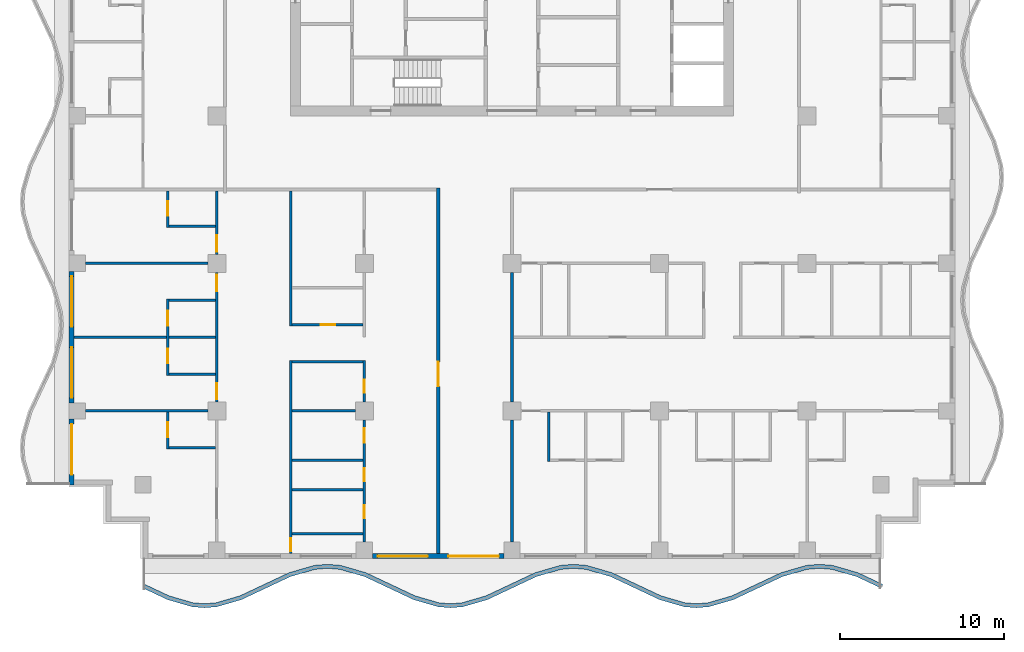
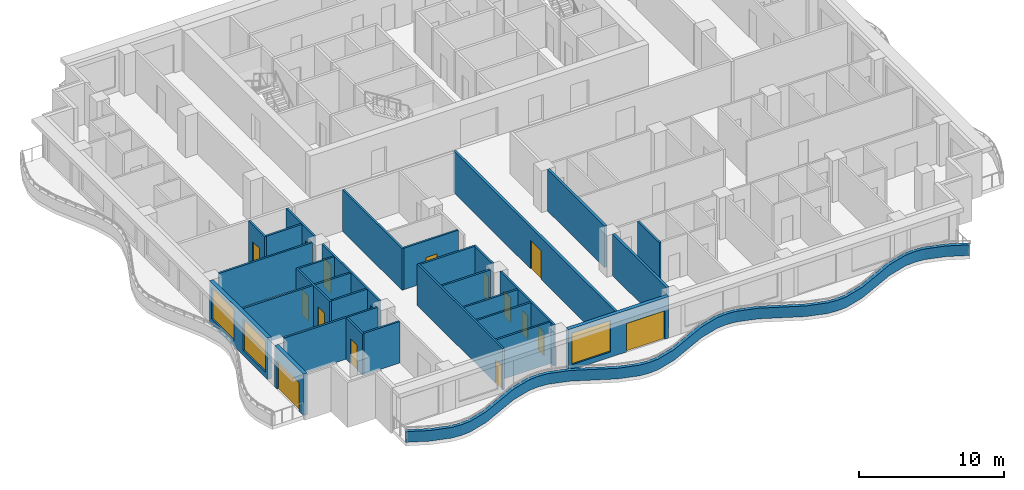
# One storey, part 2 of 12: 31 walls, 16 doors, 3 windows, 19 openings.
"""IFC4 building model written with IfcOpenShell, lengths in metres."""

from ifc_helpers import new_model, si_unit, direction, frame, frame_2d, origin, place, context, subcontext, project, spatial, polyline, rectangle, outline, extrude, material, layer, layer_set, type_object, element, fill, save


model = new_model("IFC4")

# Units and contexts
model_context = context("Model", 3, precision=1e-05, world=origin(), true_north=direction((0.0, 1.0)))
body_context = subcontext(model_context, "Body", "Model", "MODEL_VIEW")
ifc_project = project(units=[si_unit("LENGTHUNIT", "METRE"), si_unit("AREAUNIT", "SQUARE_METRE"), si_unit("VOLUMEUNIT", "CUBIC_METRE"), si_unit("PLANEANGLEUNIT", "RADIAN"), si_unit("MASSUNIT", "GRAM", prefix="KILO")], contexts=[model_context])

# Site, building, storey
site_placement = place(None, origin())
site = spatial("IfcSite", under=ifc_project, at=site_placement, CompositionType="ELEMENT")
building_placement = place(site_placement, origin())
building = spatial("IfcBuilding", under=site, at=building_placement, Name="Orbiselva Terraces", CompositionType="ELEMENT")
storey_placement = place(building_placement, frame((0.0, 0.0, 211.0)))
storey = spatial("IfcBuildingStorey", under=building, at=storey_placement, Name="L53", CompositionType="ELEMENT", Elevation=211.0)

# Wall
ifc_material_1 = material(Name="Concrete C40/50", Category="concrete")
ifc_layer_1 = layer(ifc_material_1, 0.25)
ifc_layer_set_1 = layer_set([ifc_layer_1], Name="Concrete C40/50")
wall_type_1 = type_object("IfcWallType", Name="ENV-PLANTER-250x900", PredefinedType="USERDEFINED", material=ifc_layer_set_1)
wall_1_placement = place(storey_placement, origin())
element("IfcWall", 1, at=wall_1_placement, inside=storey, type_object=wall_type_1, Name="Balcony planter L53 S", ObjectType="PLANTER", PredefinedType="USERDEFINED", context=body_context, shape_type="SweptSolid", body=[
    extrude(outline(polyline([(-22.5, -24.3), (-21.0, -25.005342), (-19.5, -25.441268), (-18.75, -25.5), (-18.0, -25.441268), (-16.5, -25.005342), (-15.0, -24.3), (-13.5, -23.594658), (-12.0, -23.158732), (-11.25, -23.1), (-10.5, -23.158732), (-9.0, -23.594658), (-7.5, -24.3), (-6.0, -25.005342), (-4.5, -25.441268), (-3.75, -25.5), (-3.0, -25.441268), (-1.5, -25.005342), (0.0, -24.3), (1.5, -23.594658), (3.0, -23.158732), (3.75, -23.1), (4.5, -23.158732), (6.0, -23.594658), (7.5, -24.3), (9.0, -25.005342), (10.5, -25.441268), (11.25, -25.5), (12.0, -25.441268), (13.5, -25.005342), (15.0, -24.3), (16.5, -23.594658), (18.0, -23.158732), (18.75, -23.1), (19.5, -23.158732), (21.0, -23.594658), (22.5, -24.3), (22.606383, -24.073764), (21.088618, -23.360069), (19.545114, -22.911499), (18.75, -22.849235), (17.954886, -22.911499), (16.411382, -23.360069), (14.893617, -24.073764), (13.411382, -24.770753), (11.954886, -25.194035), (11.25, -25.249235), (10.545114, -25.194035), (9.088618, -24.770753), (7.606383, -24.073764), (6.088618, -23.360069), (4.545114, -22.911499), (3.75, -22.849235), (2.954886, -22.911499), (1.411382, -23.360069), (-0.106383, -24.073764), (-1.588618, -24.770753), (-3.045114, -25.194035), (-3.75, -25.249235), (-4.454886, -25.194035), (-5.911382, -24.770753), (-7.393617, -24.073764), (-8.911382, -23.360069), (-10.454886, -22.911499), (-11.25, -22.849235), (-12.045114, -22.911499), (-13.588618, -23.360069), (-15.106383, -24.073764), (-16.588618, -24.770753), (-18.045114, -25.194035), (-18.75, -25.249235), (-19.454886, -25.194035), (-20.911382, -24.770753), (-22.393617, -24.073764), (-22.5, -24.3)])), origin(), (0.0, 0.0, 1.0), 0.9),
])

# Wall, openings, door, window
ifc_material_2 = material(Name="Terracotta cladding on masonry backing", Category="masonry")
ifc_layer_2 = layer(ifc_material_2, 0.3)
ifc_layer_set_2 = layer_set([ifc_layer_2], Name="Terracotta cladding on masonry backing")
wall_type_2 = type_object("IfcWallType", Name="ENV-WALL-TERRACOTTA-300", PredefinedType="SOLIDWALL", material=ifc_layer_set_2)
wall_2_placement = place(storey_placement, frame((-0.5, -22.35, 0.0), z_axis=(0.0, 0.0, 1.0), x_axis=(-1.0, 0.0, 0.0)))
wall_2 = element("IfcWall", 2, at=wall_2_placement, inside=storey, type_object=wall_type_2, Name="Facade wall L53 S", PredefinedType="SOLIDWALL", context=body_context, shape_type="SweptSolid", body=[
    extrude(rectangle(XDim=8.0, YDim=0.3, at=frame_2d((4.0, 0.0))), origin(), (0.0, 0.0, 1.0), 3.5),
])
opening_1_placement = place(wall_2_placement, frame((4.625, 0.0, 0.45)))
opening_1 = element("IfcOpeningElement", 3, at=opening_1_placement, cuts=wall_2, Name="Opening WN15", PredefinedType="OPENING", context=body_context, shape_type="SweptSolid", body=[
    extrude(rectangle(XDim=3.075, YDim=2.65, at=frame_2d((1.5375, 1.325))), frame((0.0, 0.16, 0.0), z_axis=(0.0, -1.0, 0.0), x_axis=(1.0, 0.0, 0.0)), (0.0, 0.0, 1.0), 0.32),
])
opening_2_placement = place(wall_2_placement, frame((0.3, 0.0, 0.0)))
opening_2 = element("IfcOpeningElement", 4, at=opening_2_placement, cuts=wall_2, Name="Opening Z4-C-E02", PredefinedType="OPENING", context=body_context, shape_type="SweptSolid", body=[
    extrude(rectangle(XDim=3.075, YDim=2.4, at=frame_2d((1.5375, 1.2))), frame((0.0, 0.16, 0.0), z_axis=(0.0, -1.0, 0.0), x_axis=(1.0, 0.0, 0.0)), (0.0, 0.0, 1.0), 0.32),
])
ifc_material_3 = material(Name="Clear low-e glazing in aluminium frame", Category="aluminium")
door_type_1 = type_object("IfcDoorType", Name="BALCONY DOOR 3075 X 2400", OperationType="DOUBLE_DOOR_SLIDING", PredefinedType="DOOR", material=ifc_material_3)
door_1_placement = place(opening_2_placement, origin())
door_1 = element("IfcDoor", 5, at=door_1_placement, inside=storey, type_object=door_type_1, Name="Z4-C-E02", OperationType="SINGLE_SWING_LEFT", OverallHeight=2.4, OverallWidth=3.075, PredefinedType="DOOR", context=body_context, shape_type="SweptSolid", body=[
    extrude(rectangle(XDim=3.075, YDim=2.4, at=frame_2d((1.5375, 1.2))), frame((0.0, 0.025, 0.0), z_axis=(0.0, -1.0, 0.0), x_axis=(1.0, 0.0, 0.0)), (0.0, 0.0, 1.0), 0.05),
])
fill(opening_2, door_1)
window_type = type_object("IfcWindowType", Name="WINDOW 3075 X 2650 S450", PartitioningType="TRIPLE_PANEL_VERTICAL", PredefinedType="WINDOW", material=ifc_material_3)
window_1_placement = place(opening_1_placement, origin())
window_1 = element("IfcWindow", 6, at=window_1_placement, inside=storey, type_object=window_type, Name="Window L53 S", OverallHeight=2.65, OverallWidth=3.075, PartitioningType="SINGLE_PANEL", PredefinedType="WINDOW", context=body_context, shape_type="SweptSolid", body=[
    extrude(rectangle(XDim=3.075, YDim=2.65, at=frame_2d((1.5375, 1.325))), frame((0.0, 0.03, 0.0), z_axis=(0.0, -1.0, 0.0), x_axis=(1.0, 0.0, 0.0)), (0.0, 0.0, 1.0), 0.06),
])
fill(opening_1, window_1)

# Wall, openings, windows
wall_3_placement = place(storey_placement, frame((-26.85, -13.0, 0.0), z_axis=(0.0, 0.0, 1.0), x_axis=(0.0, 1.0, 0.0)))
wall_3 = element("IfcWall", 7, at=wall_3_placement, inside=storey, type_object=wall_type_2, Name="Facade wall L53 W", PredefinedType="SOLIDWALL", context=body_context, shape_type="SweptSolid", body=[
    extrude(rectangle(XDim=8.0, YDim=0.3, at=frame_2d((4.0, 0.0))), origin(), (0.0, 0.0, 1.0), 3.5),
])
opening_3_placement = place(wall_3_placement, frame((4.625, 0.0, 0.45)))
opening_3 = element("IfcOpeningElement", 8, at=opening_3_placement, cuts=wall_3, Name="Opening WN15", PredefinedType="OPENING", context=body_context, shape_type="SweptSolid", body=[
    extrude(rectangle(XDim=3.075, YDim=2.65, at=frame_2d((1.5375, 1.325))), frame((0.0, 0.16, 0.0), z_axis=(0.0, -1.0, 0.0), x_axis=(1.0, 0.0, 0.0)), (0.0, 0.0, 1.0), 0.32),
])
opening_4_placement = place(wall_3_placement, frame((0.3, 0.0, 0.45)))
opening_4 = element("IfcOpeningElement", 9, at=opening_4_placement, cuts=wall_3, Name="Opening WN15", PredefinedType="OPENING", context=body_context, shape_type="SweptSolid", body=[
    extrude(rectangle(XDim=3.075, YDim=2.65, at=frame_2d((1.5375, 1.325))), frame((0.0, 0.16, 0.0), z_axis=(0.0, -1.0, 0.0), x_axis=(1.0, 0.0, 0.0)), (0.0, 0.0, 1.0), 0.32),
])
window_2_placement = place(opening_3_placement, origin())
window_2 = element("IfcWindow", 10, at=window_2_placement, inside=storey, type_object=window_type, Name="Window L53 W", OverallHeight=2.65, OverallWidth=3.075, PartitioningType="SINGLE_PANEL", PredefinedType="WINDOW", context=body_context, shape_type="SweptSolid", body=[
    extrude(rectangle(XDim=3.075, YDim=2.65, at=frame_2d((1.5375, 1.325))), frame((0.0, 0.03, 0.0), z_axis=(0.0, -1.0, 0.0), x_axis=(1.0, 0.0, 0.0)), (0.0, 0.0, 1.0), 0.06),
])
fill(opening_3, window_2)
window_3_placement = place(opening_4_placement, origin())
window_3 = element("IfcWindow", 11, at=window_3_placement, inside=storey, type_object=window_type, Name="Window L53 W", OverallHeight=2.65, OverallWidth=3.075, PartitioningType="SINGLE_PANEL", PredefinedType="WINDOW", context=body_context, shape_type="SweptSolid", body=[
    extrude(rectangle(XDim=3.075, YDim=2.65, at=frame_2d((1.5375, 1.325))), frame((0.0, 0.03, 0.0), z_axis=(0.0, -1.0, 0.0), x_axis=(1.0, 0.0, 0.0)), (0.0, 0.0, 1.0), 0.06),
])
fill(opening_4, window_3)

# Wall, opening, door
wall_4_placement = place(storey_placement, frame((-26.85, -18.0, 0.0), z_axis=(0.0, 0.0, 1.0), x_axis=(0.0, 1.0, 0.0)))
wall_4 = element("IfcWall", 12, at=wall_4_placement, inside=storey, type_object=wall_type_2, Name="Facade wall L53 W", PredefinedType="SOLIDWALL", context=body_context, shape_type="SweptSolid", body=[
    extrude(rectangle(XDim=4.0, YDim=0.3, at=frame_2d((2.0, 0.0))), origin(), (0.0, 0.0, 1.0), 3.5),
])
opening_5_placement = place(wall_4_placement, frame((0.625, 0.0, 0.0)))
opening_5 = element("IfcOpeningElement", 13, at=opening_5_placement, cuts=wall_4, Name="Opening Z4-C-E12", PredefinedType="OPENING", context=body_context, shape_type="SweptSolid", body=[
    extrude(rectangle(XDim=3.075, YDim=2.4, at=frame_2d((1.5375, 1.2))), frame((0.0, 0.16, 0.0), z_axis=(0.0, -1.0, 0.0), x_axis=(1.0, 0.0, 0.0)), (0.0, 0.0, 1.0), 0.32),
])
door_2_placement = place(opening_5_placement, origin())
door_2 = element("IfcDoor", 14, at=door_2_placement, inside=storey, type_object=door_type_1, Name="Z4-C-E12", OperationType="SINGLE_SWING_LEFT", OverallHeight=2.4, OverallWidth=3.075, PredefinedType="DOOR", context=body_context, shape_type="SweptSolid", body=[
    extrude(rectangle(XDim=3.075, YDim=2.4, at=frame_2d((1.5375, 1.2))), frame((0.0, 0.025, 0.0), z_axis=(0.0, -1.0, 0.0), x_axis=(1.0, 0.0, 0.0)), (0.0, 0.0, 1.0), 0.05),
])
fill(opening_5, door_2)

ifc_material_4 = material(Name="Plasterboard on steel stud partition", Category="steel")
ifc_layer_3 = layer(ifc_material_4, 0.2)
ifc_layer_set_3 = layer_set([ifc_layer_3], Name="Plasterboard on steel stud partition")
wall_type_3 = type_object("IfcWallType", Name="UNIT-ENTRANCE-WALL-200", PredefinedType="PARTITIONING", material=ifc_layer_set_3)
wall_5_placement = place(storey_placement, frame((-4.5, -22.2, 0.0), z_axis=(0.0, 0.0, 1.0), x_axis=(0.0, 1.0, 0.0)))
wall_5 = element("IfcWall", 15, at=wall_5_placement, inside=storey, type_object=wall_type_3, Name="PARTITION L53-068", PredefinedType="PARTITIONING", context=body_context, shape_type="SweptSolid", body=[
    extrude(rectangle(XDim=22.3, YDim=0.2, at=frame_2d((11.15, 0.0))), origin(), (0.0, 0.0, 1.0), 3.5),
])
opening_6_placement = place(wall_5_placement, frame((10.2, 0.0, 0.0)))
opening_6 = element("IfcOpeningElement", 16, at=opening_6_placement, cuts=wall_5, Name="Opening Z4-C-18", PredefinedType="OPENING", context=body_context, shape_type="SweptSolid", body=[
    extrude(rectangle(XDim=1.5, YDim=2.4, at=frame_2d((0.75, 1.2))), frame((0.0, 0.11, 0.0), z_axis=(0.0, -1.0, 0.0), x_axis=(1.0, 0.0, 0.0)), (0.0, 0.0, 1.0), 0.22),
])
ifc_material_5 = material(Name="Painted timber door leaf", Category="wood")
door_type_2 = type_object("IfcDoorType", Name="ENTRANCE DOUBLE DOOR 1500", OperationType="NOTDEFINED", PredefinedType="DOOR", material=ifc_material_5)
door_3_placement = place(opening_6_placement, origin())
door_3 = element("IfcDoor", 17, at=door_3_placement, inside=storey, type_object=door_type_2, Name="Z4-C-18", OperationType="DOUBLE_DOOR_SINGLE_SWING", OverallHeight=2.4, OverallWidth=1.5, PredefinedType="DOOR", context=body_context, shape_type="SweptSolid", body=[
    extrude(rectangle(XDim=1.5, YDim=2.4, at=frame_2d((0.75, 1.2))), frame((0.0, 0.025, 0.0), z_axis=(0.0, -1.0, 0.0), x_axis=(1.0, 0.0, 0.0)), (0.0, 0.0, 1.0), 0.05),
])
fill(opening_6, door_3)

# Walls
wall_6_placement = place(storey_placement, frame((0.0, -21.5, 0.0), z_axis=(0.0, 0.0, 1.0), x_axis=(0.0, 1.0, 0.0)))
element("IfcWall", 18, at=wall_6_placement, inside=storey, type_object=wall_type_3, Name="PARTITION L53-069", PredefinedType="PARTITIONING", context=body_context, shape_type="SweptSolid", body=[
    extrude(rectangle(XDim=7.45, YDim=0.2, at=frame_2d((3.725, 0.0))), origin(), (0.0, 0.0, 1.0), 3.5),
])
wall_7_placement = place(storey_placement, frame((0.0, -12.95, 0.0), z_axis=(0.0, 0.0, 1.0), x_axis=(0.0, 1.0, 0.0)))
element("IfcWall", 19, at=wall_7_placement, inside=storey, type_object=wall_type_3, Name="PARTITION L53-070", PredefinedType="PARTITIONING", context=body_context, shape_type="SweptSolid", body=[
    extrude(rectangle(XDim=7.9, YDim=0.2, at=frame_2d((3.95, 0.0))), origin(), (0.0, 0.0, 1.0), 3.5),
])
ifc_layer_4 = layer(ifc_material_4, 0.15)
ifc_layer_set_4 = layer_set([ifc_layer_4], Name="Plasterboard on steel stud partition")
wall_type_4 = type_object("IfcWallType", Name="UNIT-PARTITION-150", PredefinedType="PARTITIONING", material=ifc_layer_set_4)
for number, where, z_axis, x_axis, name in (
    (20, (-13.425, -21.0, 0.0), (0.0, 0.0, 1.0), (1.0, 0.0, 0.0), "PARTITION L53-001"),
    (21, (-13.425, -18.3, 0.0), (0.0, 0.0, 1.0), (1.0, 0.0, 0.0), "PARTITION L53-002"),
    (22, (-13.425, -16.5, 0.0), (0.0, 0.0, 1.0), (1.0, 0.0, 0.0), "PARTITION L53-003"),
):
    element("IfcWall", number, at=place(storey_placement, frame(where, z_axis=z_axis, x_axis=x_axis)), inside=storey, type_object=wall_type_4, Name=name, PredefinedType="PARTITIONING", context=body_context, shape_type="SweptSolid", body=[
        extrude(rectangle(XDim=4.35, YDim=0.15, at=frame_2d((2.175, 0.0))), origin(), (0.0, 0.0, 1.0), 3.5),
    ])
wall_8_placement = place(storey_placement, frame((-20.925, -15.75, 0.0), z_axis=(0.0, 0.0, 1.0), x_axis=(1.0, 0.0, 0.0)))
element("IfcWall", 23, at=wall_8_placement, inside=storey, type_object=wall_type_4, Name="PARTITION L53-009", PredefinedType="PARTITIONING", context=body_context, shape_type="SweptSolid", body=[
    extrude(rectangle(XDim=2.85, YDim=0.15, at=frame_2d((1.425, 0.0))), origin(), (0.0, 0.0, 1.0), 3.5),
])
wall_9_placement = place(storey_placement, frame((-26.0, -13.5, 0.0), z_axis=(0.0, 0.0, 1.0), x_axis=(1.0, 0.0, 0.0)))
element("IfcWall", 24, at=wall_9_placement, inside=storey, type_object=wall_type_4, Name="PARTITION L53-010", PredefinedType="PARTITIONING", context=body_context, shape_type="SweptSolid", body=[
    extrude(rectangle(XDim=7.45, YDim=0.15, at=frame_2d((3.725, 0.0))), origin(), (0.0, 0.0, 1.0), 3.5),
])
wall_10_placement = place(storey_placement, frame((-13.425, -13.5, 0.0), z_axis=(0.0, 0.0, 1.0), x_axis=(1.0, 0.0, 0.0)))
element("IfcWall", 25, at=wall_10_placement, inside=storey, type_object=wall_type_4, Name="PARTITION L53-011", PredefinedType="PARTITIONING", context=body_context, shape_type="SweptSolid", body=[
    extrude(rectangle(XDim=3.875, YDim=0.15, at=frame_2d((1.9375, 0.0))), origin(), (0.0, 0.0, 1.0), 3.5),
])
wall_11_placement = place(storey_placement, frame((-20.925, -11.25, 0.0), z_axis=(0.0, 0.0, 1.0), x_axis=(1.0, 0.0, 0.0)))
element("IfcWall", 26, at=wall_11_placement, inside=storey, type_object=wall_type_4, Name="PARTITION L53-015", PredefinedType="PARTITIONING", context=body_context, shape_type="SweptSolid", body=[
    extrude(rectangle(XDim=2.85, YDim=0.15, at=frame_2d((1.425, 0.0))), origin(), (0.0, 0.0, 1.0), 3.5),
])
wall_12_placement = place(storey_placement, frame((-13.425, -10.5, 0.0), z_axis=(0.0, 0.0, 1.0), x_axis=(1.0, 0.0, 0.0)))
element("IfcWall", 27, at=wall_12_placement, inside=storey, type_object=wall_type_4, Name="PARTITION L53-016", PredefinedType="PARTITIONING", context=body_context, shape_type="SweptSolid", body=[
    extrude(rectangle(XDim=4.35, YDim=0.15, at=frame_2d((2.175, 0.0))), origin(), (0.0, 0.0, 1.0), 3.5),
])
wall_13_placement = place(storey_placement, frame((-26.7, -9.0, 0.0), z_axis=(0.0, 0.0, 1.0), x_axis=(1.0, 0.0, 0.0)))
element("IfcWall", 28, at=wall_13_placement, inside=storey, type_object=wall_type_4, Name="PARTITION L53-017", PredefinedType="PARTITIONING", context=body_context, shape_type="SweptSolid", body=[
    extrude(rectangle(XDim=5.625, YDim=0.15, at=frame_2d((2.8125, 0.0))), origin(), (0.0, 0.0, 1.0), 3.5),
])
wall_14_placement = place(storey_placement, frame((-20.925, -9.0, 0.0), z_axis=(0.0, 0.0, 1.0), x_axis=(1.0, 0.0, 0.0)))
element("IfcWall", 29, at=wall_14_placement, inside=storey, type_object=wall_type_4, Name="PARTITION L53-018", PredefinedType="PARTITIONING", context=body_context, shape_type="SweptSolid", body=[
    extrude(rectangle(XDim=2.85, YDim=0.15, at=frame_2d((1.425, 0.0))), origin(), (0.0, 0.0, 1.0), 3.5),
])

# Wall, opening, door
wall_15_placement = place(storey_placement, frame((-13.425, -8.25, 0.0), z_axis=(0.0, 0.0, 1.0), x_axis=(1.0, 0.0, 0.0)))
wall_15 = element("IfcWall", 30, at=wall_15_placement, inside=storey, type_object=wall_type_4, Name="PARTITION L53-021", PredefinedType="PARTITIONING", context=body_context, shape_type="SweptSolid", body=[
    extrude(rectangle(XDim=4.35, YDim=0.15, at=frame_2d((2.175, 0.0))), origin(), (0.0, 0.0, 1.0), 3.5),
])
opening_7_placement = place(wall_15_placement, frame((1.75, 0.0, 0.0)))
opening_7 = element("IfcOpeningElement", 31, at=opening_7_placement, cuts=wall_15, Name="Opening Z4-C-20", PredefinedType="OPENING", context=body_context, shape_type="SweptSolid", body=[
    extrude(rectangle(XDim=0.9, YDim=2.1, at=frame_2d((0.45, 1.05))), frame((0.0, 0.085, 0.0), z_axis=(0.0, -1.0, 0.0), x_axis=(1.0, 0.0, 0.0)), (0.0, 0.0, 1.0), 0.17),
])
door_type_3 = type_object("IfcDoorType", Name="BATH DOOR 900", OperationType="NOTDEFINED", PredefinedType="DOOR", material=ifc_material_5)
door_4_placement = place(opening_7_placement, origin())
door_4 = element("IfcDoor", 32, at=door_4_placement, inside=storey, type_object=door_type_3, Name="Z4-C-20", OperationType="SINGLE_SWING_RIGHT", OverallHeight=2.1, OverallWidth=0.9, PredefinedType="DOOR", context=body_context, shape_type="SweptSolid", body=[
    extrude(rectangle(XDim=0.9, YDim=2.1, at=frame_2d((0.45, 1.05))), frame((0.0, 0.025, 0.0), z_axis=(0.0, -1.0, 0.0), x_axis=(1.0, 0.0, 0.0)), (0.0, 0.0, 1.0), 0.05),
])
fill(opening_7, door_4)

# Walls
wall_16_placement = place(storey_placement, frame((-20.925, -6.75, 0.0), z_axis=(0.0, 0.0, 1.0), x_axis=(1.0, 0.0, 0.0)))
element("IfcWall", 33, at=wall_16_placement, inside=storey, type_object=wall_type_4, Name="PARTITION L53-022", PredefinedType="PARTITIONING", context=body_context, shape_type="SweptSolid", body=[
    extrude(rectangle(XDim=2.85, YDim=0.15, at=frame_2d((1.425, 0.0))), origin(), (0.0, 0.0, 1.0), 3.5),
])
wall_17_placement = place(storey_placement, frame((-26.0, -4.5, 0.0), z_axis=(0.0, 0.0, 1.0), x_axis=(1.0, 0.0, 0.0)))
element("IfcWall", 34, at=wall_17_placement, inside=storey, type_object=wall_type_4, Name="PARTITION L53-024", PredefinedType="PARTITIONING", context=body_context, shape_type="SweptSolid", body=[
    extrude(rectangle(XDim=7.45, YDim=0.15, at=frame_2d((3.725, 0.0))), origin(), (0.0, 0.0, 1.0), 3.5),
])
wall_18_placement = place(storey_placement, frame((-20.925, -2.25, 0.0), z_axis=(0.0, 0.0, 1.0), x_axis=(1.0, 0.0, 0.0)))
element("IfcWall", 35, at=wall_18_placement, inside=storey, type_object=wall_type_4, Name="PARTITION L53-029", PredefinedType="PARTITIONING", context=body_context, shape_type="SweptSolid", body=[
    extrude(rectangle(XDim=2.85, YDim=0.15, at=frame_2d((1.425, 0.0))), origin(), (0.0, 0.0, 1.0), 3.5),
])

# Wall, opening, door
wall_19_placement = place(storey_placement, frame((-21.0, -13.575, 0.0), z_axis=(0.0, 0.0, 1.0), x_axis=(0.0, -1.0, 0.0)))
wall_19 = element("IfcWall", 36, at=wall_19_placement, inside=storey, type_object=wall_type_4, Name="PARTITION L53-053", PredefinedType="PARTITIONING", context=body_context, shape_type="SweptSolid", body=[
    extrude(rectangle(XDim=2.25, YDim=0.15, at=frame_2d((1.125, 0.0))), origin(), (0.0, 0.0, 1.0), 3.5),
])
opening_8_placement = place(wall_19_placement, frame((0.625, 0.0, 0.0)))
opening_8 = element("IfcOpeningElement", 37, at=opening_8_placement, cuts=wall_19, Name="Opening Z4-C-33", PredefinedType="OPENING", context=body_context, shape_type="SweptSolid", body=[
    extrude(rectangle(XDim=0.9, YDim=2.1, at=frame_2d((0.45, 1.05))), frame((0.0, 0.085, 0.0), z_axis=(0.0, -1.0, 0.0), x_axis=(1.0, 0.0, 0.0)), (0.0, 0.0, 1.0), 0.17),
])
door_5_placement = place(opening_8_placement, origin())
door_5 = element("IfcDoor", 38, at=door_5_placement, inside=storey, type_object=door_type_3, Name="Z4-C-33", OperationType="SINGLE_SWING_LEFT", OverallHeight=2.1, OverallWidth=0.9, PredefinedType="DOOR", context=body_context, shape_type="SweptSolid", body=[
    extrude(rectangle(XDim=0.9, YDim=2.1, at=frame_2d((0.45, 1.05))), frame((0.0, 0.025, 0.0), z_axis=(0.0, -1.0, 0.0), x_axis=(1.0, 0.0, 0.0)), (0.0, 0.0, 1.0), 0.05),
])
fill(opening_8, door_5)

# Wall, openings, doors
wall_20_placement = place(storey_placement, frame((-21.0, -6.675, 0.0), z_axis=(0.0, 0.0, 1.0), x_axis=(0.0, -1.0, 0.0)))
wall_20 = element("IfcWall", 39, at=wall_20_placement, inside=storey, type_object=wall_type_4, Name="PARTITION L53-054", PredefinedType="PARTITIONING", context=body_context, shape_type="SweptSolid", body=[
    extrude(rectangle(XDim=4.65, YDim=0.15, at=frame_2d((2.325, 0.0))), origin(), (0.0, 0.0, 1.0), 3.5),
])
opening_9_placement = place(wall_20_placement, frame((0.725, 0.0, 0.0)))
opening_9 = element("IfcOpeningElement", 40, at=opening_9_placement, cuts=wall_20, Name="Opening Z4-C-29", PredefinedType="OPENING", context=body_context, shape_type="SweptSolid", body=[
    extrude(rectangle(XDim=0.9, YDim=2.1, at=frame_2d((0.45, 1.05))), frame((0.0, 0.085, 0.0), z_axis=(0.0, -1.0, 0.0), x_axis=(1.0, 0.0, 0.0)), (0.0, 0.0, 1.0), 0.17),
])
opening_10_placement = place(wall_20_placement, frame((3.025, 0.0, 0.0)))
opening_10 = element("IfcOpeningElement", 41, at=opening_10_placement, cuts=wall_20, Name="Opening Z4-C-31", PredefinedType="OPENING", context=body_context, shape_type="SweptSolid", body=[
    extrude(rectangle(XDim=0.9, YDim=2.1, at=frame_2d((0.45, 1.05))), frame((0.0, 0.085, 0.0), z_axis=(0.0, -1.0, 0.0), x_axis=(1.0, 0.0, 0.0)), (0.0, 0.0, 1.0), 0.17),
])
door_6_placement = place(opening_9_placement, origin())
door_6 = element("IfcDoor", 42, at=door_6_placement, inside=storey, type_object=door_type_3, Name="Z4-C-29", OperationType="SINGLE_SWING_LEFT", OverallHeight=2.1, OverallWidth=0.9, PredefinedType="DOOR", context=body_context, shape_type="SweptSolid", body=[
    extrude(rectangle(XDim=0.9, YDim=2.1, at=frame_2d((0.45, 1.05))), frame((0.0, 0.025, 0.0), z_axis=(0.0, -1.0, 0.0), x_axis=(1.0, 0.0, 0.0)), (0.0, 0.0, 1.0), 0.05),
])
fill(opening_9, door_6)
door_7_placement = place(opening_10_placement, origin())
door_7 = element("IfcDoor", 43, at=door_7_placement, inside=storey, type_object=door_type_3, Name="Z4-C-31", OperationType="SINGLE_SWING_RIGHT", OverallHeight=2.1, OverallWidth=0.9, PredefinedType="DOOR", context=body_context, shape_type="SweptSolid", body=[
    extrude(rectangle(XDim=0.9, YDim=2.1, at=frame_2d((0.45, 1.05))), frame((0.0, 0.025, 0.0), z_axis=(0.0, -1.0, 0.0), x_axis=(1.0, 0.0, 0.0)), (0.0, 0.0, 1.0), 0.05),
])
fill(opening_10, door_7)

# Wall, opening, door
wall_21_placement = place(storey_placement, frame((-21.0, -0.1, 0.0), z_axis=(0.0, 0.0, 1.0), x_axis=(0.0, -1.0, 0.0)))
wall_21 = element("IfcWall", 44, at=wall_21_placement, inside=storey, type_object=wall_type_4, Name="PARTITION L53-055", PredefinedType="PARTITIONING", context=body_context, shape_type="SweptSolid", body=[
    extrude(rectangle(XDim=2.225, YDim=0.15, at=frame_2d((1.1125, 0.0))), origin(), (0.0, 0.0, 1.0), 3.5),
])
opening_11_placement = place(wall_21_placement, frame((0.6, 0.0, 0.0)))
opening_11 = element("IfcOpeningElement", 45, at=opening_11_placement, cuts=wall_21, Name="Opening Z4-C-27", PredefinedType="OPENING", context=body_context, shape_type="SweptSolid", body=[
    extrude(rectangle(XDim=0.9, YDim=2.1, at=frame_2d((0.45, 1.05))), frame((0.0, 0.085, 0.0), z_axis=(0.0, -1.0, 0.0), x_axis=(1.0, 0.0, 0.0)), (0.0, 0.0, 1.0), 0.17),
])
door_8_placement = place(opening_11_placement, origin())
door_8 = element("IfcDoor", 46, at=door_8_placement, inside=storey, type_object=door_type_3, Name="Z4-C-27", OperationType="SINGLE_SWING_LEFT", OverallHeight=2.1, OverallWidth=0.9, PredefinedType="DOOR", context=body_context, shape_type="SweptSolid", body=[
    extrude(rectangle(XDim=0.9, YDim=2.1, at=frame_2d((0.45, 1.05))), frame((0.0, 0.025, 0.0), z_axis=(0.0, -1.0, 0.0), x_axis=(1.0, 0.0, 0.0)), (0.0, 0.0, 1.0), 0.05),
])
fill(opening_11, door_8)

# Wall, openings, doors
wall_22_placement = place(storey_placement, frame((-18.0, -12.95, 0.0), z_axis=(0.0, 0.0, 1.0), x_axis=(0.0, 1.0, 0.0)))
wall_22 = element("IfcWall", 47, at=wall_22_placement, inside=storey, type_object=wall_type_4, Name="PARTITION L53-057", PredefinedType="PARTITIONING", context=body_context, shape_type="SweptSolid", body=[
    extrude(rectangle(XDim=7.9, YDim=0.15, at=frame_2d((3.95, 0.0))), origin(), (0.0, 0.0, 1.0), 3.5),
])
opening_12_placement = place(wall_22_placement, frame((6.75, 0.0, 0.0)))
opening_12 = element("IfcOpeningElement", 48, at=opening_12_placement, cuts=wall_22, Name="Opening Z4-C-28", PredefinedType="OPENING", context=body_context, shape_type="SweptSolid", body=[
    extrude(rectangle(XDim=1.0, YDim=2.4, at=frame_2d((0.5, 1.2))), frame((0.0, 0.085, 0.0), z_axis=(0.0, -1.0, 0.0), x_axis=(1.0, 0.0, 0.0)), (0.0, 0.0, 1.0), 0.17),
])
opening_13_placement = place(wall_22_placement, frame((0.15, 0.0, 0.0)))
opening_13 = element("IfcOpeningElement", 49, at=opening_13_placement, cuts=wall_22, Name="Opening Z4-C-30", PredefinedType="OPENING", context=body_context, shape_type="SweptSolid", body=[
    extrude(rectangle(XDim=1.0, YDim=2.4, at=frame_2d((0.5, 1.2))), frame((0.0, 0.085, 0.0), z_axis=(0.0, -1.0, 0.0), x_axis=(1.0, 0.0, 0.0)), (0.0, 0.0, 1.0), 0.17),
])
door_type_4 = type_object("IfcDoorType", Name="ROOM DOOR 1000", OperationType="NOTDEFINED", PredefinedType="DOOR", material=ifc_material_5)
door_9_placement = place(opening_12_placement, origin())
door_9 = element("IfcDoor", 50, at=door_9_placement, inside=storey, type_object=door_type_4, Name="Z4-C-28", OperationType="SINGLE_SWING_RIGHT", OverallHeight=2.4, OverallWidth=1.0, PredefinedType="DOOR", context=body_context, shape_type="SweptSolid", body=[
    extrude(rectangle(XDim=1.0, YDim=2.4, at=frame_2d((0.5, 1.2))), frame((0.0, 0.025, 0.0), z_axis=(0.0, -1.0, 0.0), x_axis=(1.0, 0.0, 0.0)), (0.0, 0.0, 1.0), 0.05),
])
fill(opening_12, door_9)
door_10_placement = place(opening_13_placement, origin())
door_10 = element("IfcDoor", 51, at=door_10_placement, inside=storey, type_object=door_type_4, Name="Z4-C-30", OperationType="SINGLE_SWING_LEFT", OverallHeight=2.4, OverallWidth=1.0, PredefinedType="DOOR", context=body_context, shape_type="SweptSolid", body=[
    extrude(rectangle(XDim=1.0, YDim=2.4, at=frame_2d((0.5, 1.2))), frame((0.0, 0.025, 0.0), z_axis=(0.0, -1.0, 0.0), x_axis=(1.0, 0.0, 0.0)), (0.0, 0.0, 1.0), 0.05),
])
fill(opening_13, door_10)

# Wall, opening, door
wall_23_placement = place(storey_placement, frame((-18.0, -3.95, 0.0), z_axis=(0.0, 0.0, 1.0), x_axis=(0.0, 1.0, 0.0)))
wall_23 = element("IfcWall", 52, at=wall_23_placement, inside=storey, type_object=wall_type_4, Name="PARTITION L53-058", PredefinedType="PARTITIONING", context=body_context, shape_type="SweptSolid", body=[
    extrude(rectangle(XDim=3.85, YDim=0.15, at=frame_2d((1.925, 0.0))), origin(), (0.0, 0.0, 1.0), 3.5),
])
opening_14_placement = place(wall_23_placement, frame((0.15, 0.0, 0.0)))
opening_14 = element("IfcOpeningElement", 53, at=opening_14_placement, cuts=wall_23, Name="Opening Z4-C-26", PredefinedType="OPENING", context=body_context, shape_type="SweptSolid", body=[
    extrude(rectangle(XDim=1.0, YDim=2.4, at=frame_2d((0.5, 1.2))), frame((0.0, 0.085, 0.0), z_axis=(0.0, -1.0, 0.0), x_axis=(1.0, 0.0, 0.0)), (0.0, 0.0, 1.0), 0.17),
])
door_11_placement = place(opening_14_placement, origin())
door_11 = element("IfcDoor", 54, at=door_11_placement, inside=storey, type_object=door_type_4, Name="Z4-C-26", OperationType="SINGLE_SWING_LEFT", OverallHeight=2.4, OverallWidth=1.0, PredefinedType="DOOR", context=body_context, shape_type="SweptSolid", body=[
    extrude(rectangle(XDim=1.0, YDim=2.4, at=frame_2d((0.5, 1.2))), frame((0.0, 0.025, 0.0), z_axis=(0.0, -1.0, 0.0), x_axis=(1.0, 0.0, 0.0)), (0.0, 0.0, 1.0), 0.05),
])
fill(opening_14, door_11)

wall_24_placement = place(storey_placement, frame((-13.5, -10.425, 0.0), z_axis=(0.0, 0.0, 1.0), x_axis=(0.0, -1.0, 0.0)))
wall_24 = element("IfcWall", 55, at=wall_24_placement, inside=storey, type_object=wall_type_4, Name="PARTITION L53-062", PredefinedType="PARTITIONING", context=body_context, shape_type="SweptSolid", body=[
    extrude(rectangle(XDim=11.775, YDim=0.15, at=frame_2d((5.8875, 0.0))), origin(), (0.0, 0.0, 1.0), 3.5),
])
opening_15_placement = place(wall_24_placement, frame((10.825, 0.0, 0.0)))
opening_15 = element("IfcOpeningElement", 56, at=opening_15_placement, cuts=wall_24, Name="Opening Z4-C-25", PredefinedType="OPENING", context=body_context, shape_type="SweptSolid", body=[
    extrude(rectangle(XDim=0.8, YDim=2.0, at=frame_2d((0.4, 1.0))), frame((0.0, 0.085, 0.0), z_axis=(0.0, -1.0, 0.0), x_axis=(1.0, 0.0, 0.0)), (0.0, 0.0, 1.0), 0.17),
])
door_type_5 = type_object("IfcDoorType", Name="STORE DOOR 800", OperationType="NOTDEFINED", PredefinedType="DOOR", material=ifc_material_5)
door_12_placement = place(opening_15_placement, origin())
door_12 = element("IfcDoor", 57, at=door_12_placement, inside=storey, type_object=door_type_5, Name="Z4-C-25", OperationType="SINGLE_SWING_RIGHT", OverallHeight=2.0, OverallWidth=0.8, PredefinedType="DOOR", context=body_context, shape_type="SweptSolid", body=[
    extrude(rectangle(XDim=0.8, YDim=2.0, at=frame_2d((0.4, 1.0))), frame((0.0, 0.025, 0.0), z_axis=(0.0, -1.0, 0.0), x_axis=(1.0, 0.0, 0.0)), (0.0, 0.0, 1.0), 0.05),
])
fill(opening_15, door_12)

# Wall
wall_25_placement = place(storey_placement, frame((-13.5, -8.325, 0.0), z_axis=(0.0, 0.0, 1.0), x_axis=(0.0, 1.0, 0.0)))
element("IfcWall", 58, at=wall_25_placement, inside=storey, type_object=wall_type_4, Name="PARTITION L53-063", PredefinedType="PARTITIONING", context=body_context, shape_type="SweptSolid", body=[
    extrude(rectangle(XDim=8.225, YDim=0.15, at=frame_2d((4.1125, 0.0))), origin(), (0.0, 0.0, 1.0), 3.5),
])

# Wall, openings, doors
wall_26_placement = place(storey_placement, frame((-9.0, -21.5, 0.0), z_axis=(0.0, 0.0, 1.0), x_axis=(0.0, 1.0, 0.0)))
wall_26 = element("IfcWall", 59, at=wall_26_placement, inside=storey, type_object=wall_type_4, Name="PARTITION L53-064", PredefinedType="PARTITIONING", context=body_context, shape_type="SweptSolid", body=[
    extrude(rectangle(XDim=7.45, YDim=0.15, at=frame_2d((3.725, 0.0))), origin(), (0.0, 0.0, 1.0), 3.5),
])
opening_16_placement = place(wall_26_placement, frame((6.05, 0.0, 0.0)))
opening_16 = element("IfcOpeningElement", 60, at=opening_16_placement, cuts=wall_26, Name="Opening Z4-C-22", PredefinedType="OPENING", context=body_context, shape_type="SweptSolid", body=[
    extrude(rectangle(XDim=0.9, YDim=2.1, at=frame_2d((0.45, 1.05))), frame((0.0, 0.085, 0.0), z_axis=(0.0, -1.0, 0.0), x_axis=(1.0, 0.0, 0.0)), (0.0, 0.0, 1.0), 0.17),
])
opening_17_placement = place(wall_26_placement, frame((3.7, 0.0, 0.0)))
opening_17 = element("IfcOpeningElement", 61, at=opening_17_placement, cuts=wall_26, Name="Opening Z4-C-23", PredefinedType="OPENING", context=body_context, shape_type="SweptSolid", body=[
    extrude(rectangle(XDim=0.8, YDim=2.0, at=frame_2d((0.4, 1.0))), frame((0.0, 0.085, 0.0), z_axis=(0.0, -1.0, 0.0), x_axis=(1.0, 0.0, 0.0)), (0.0, 0.0, 1.0), 0.17),
])
opening_18_placement = place(wall_26_placement, frame((1.45, 0.0, 0.0)))
opening_18 = element("IfcOpeningElement", 62, at=opening_18_placement, cuts=wall_26, Name="Opening Z4-C-24", PredefinedType="OPENING", context=body_context, shape_type="SweptSolid", body=[
    extrude(rectangle(XDim=0.8, YDim=2.0, at=frame_2d((0.4, 1.0))), frame((0.0, 0.085, 0.0), z_axis=(0.0, -1.0, 0.0), x_axis=(1.0, 0.0, 0.0)), (0.0, 0.0, 1.0), 0.17),
])
door_type_6 = type_object("IfcDoorType", Name="SERVICE DOOR 900", OperationType="NOTDEFINED", PredefinedType="DOOR", material=ifc_material_5)
door_13_placement = place(opening_16_placement, origin())
door_13 = element("IfcDoor", 63, at=door_13_placement, inside=storey, type_object=door_type_6, Name="Z4-C-22", OperationType="SINGLE_SWING_RIGHT", OverallHeight=2.1, OverallWidth=0.9, PredefinedType="DOOR", context=body_context, shape_type="SweptSolid", body=[
    extrude(rectangle(XDim=0.9, YDim=2.1, at=frame_2d((0.45, 1.05))), frame((0.0, 0.025, 0.0), z_axis=(0.0, -1.0, 0.0), x_axis=(1.0, 0.0, 0.0)), (0.0, 0.0, 1.0), 0.05),
])
fill(opening_16, door_13)
door_14_placement = place(opening_17_placement, origin())
door_14 = element("IfcDoor", 64, at=door_14_placement, inside=storey, type_object=door_type_5, Name="Z4-C-23", OperationType="SINGLE_SWING_RIGHT", OverallHeight=2.0, OverallWidth=0.8, PredefinedType="DOOR", context=body_context, shape_type="SweptSolid", body=[
    extrude(rectangle(XDim=0.8, YDim=2.0, at=frame_2d((0.4, 1.0))), frame((0.0, 0.025, 0.0), z_axis=(0.0, -1.0, 0.0), x_axis=(1.0, 0.0, 0.0)), (0.0, 0.0, 1.0), 0.05),
])
fill(opening_17, door_14)
door_15_placement = place(opening_18_placement, origin())
door_15 = element("IfcDoor", 65, at=door_15_placement, inside=storey, type_object=door_type_5, Name="Z4-C-24", OperationType="SINGLE_SWING_LEFT", OverallHeight=2.0, OverallWidth=0.8, PredefinedType="DOOR", context=body_context, shape_type="SweptSolid", body=[
    extrude(rectangle(XDim=0.8, YDim=2.0, at=frame_2d((0.4, 1.0))), frame((0.0, 0.025, 0.0), z_axis=(0.0, -1.0, 0.0), x_axis=(1.0, 0.0, 0.0)), (0.0, 0.0, 1.0), 0.05),
])
fill(opening_18, door_15)

# Wall, opening, door
wall_27_placement = place(storey_placement, frame((-9.0, -12.95, 0.0), z_axis=(0.0, 0.0, 1.0), x_axis=(0.0, 1.0, 0.0)))
wall_27 = element("IfcWall", 66, at=wall_27_placement, inside=storey, type_object=wall_type_4, Name="PARTITION L53-065", PredefinedType="PARTITIONING", context=body_context, shape_type="SweptSolid", body=[
    extrude(rectangle(XDim=2.525, YDim=0.15, at=frame_2d((1.2625, 0.0))), origin(), (0.0, 0.0, 1.0), 3.5),
])
opening_19_placement = place(wall_27_placement, frame((0.55, 0.0, 0.0)))
opening_19 = element("IfcOpeningElement", 67, at=opening_19_placement, cuts=wall_27, Name="Opening Z4-C-21", PredefinedType="OPENING", context=body_context, shape_type="SweptSolid", body=[
    extrude(rectangle(XDim=0.8, YDim=2.0, at=frame_2d((0.4, 1.0))), frame((0.0, 0.085, 0.0), z_axis=(0.0, -1.0, 0.0), x_axis=(1.0, 0.0, 0.0)), (0.0, 0.0, 1.0), 0.17),
])
door_16_placement = place(opening_19_placement, origin())
door_16 = element("IfcDoor", 68, at=door_16_placement, inside=storey, type_object=door_type_5, Name="Z4-C-21", OperationType="SINGLE_SWING_LEFT", OverallHeight=2.0, OverallWidth=0.8, PredefinedType="DOOR", context=body_context, shape_type="SweptSolid", body=[
    extrude(rectangle(XDim=0.8, YDim=2.0, at=frame_2d((0.4, 1.0))), frame((0.0, 0.025, 0.0), z_axis=(0.0, -1.0, 0.0), x_axis=(1.0, 0.0, 0.0)), (0.0, 0.0, 1.0), 0.05),
])
fill(opening_19, door_16)

# Wall
wall_28_placement = place(storey_placement, frame((2.25, -16.575, 0.0), z_axis=(0.0, 0.0, 1.0), x_axis=(0.0, 1.0, 0.0)))
element("IfcWall", 69, at=wall_28_placement, inside=storey, type_object=wall_type_4, Name="PARTITION L53-073", PredefinedType="PARTITIONING", context=body_context, shape_type="SweptSolid", body=[
    extrude(rectangle(XDim=3.0, YDim=0.15, at=frame_2d((1.5, 0.0))), origin(), (0.0, 0.0, 1.0), 3.5),
])

save(model, "model.ifc")
